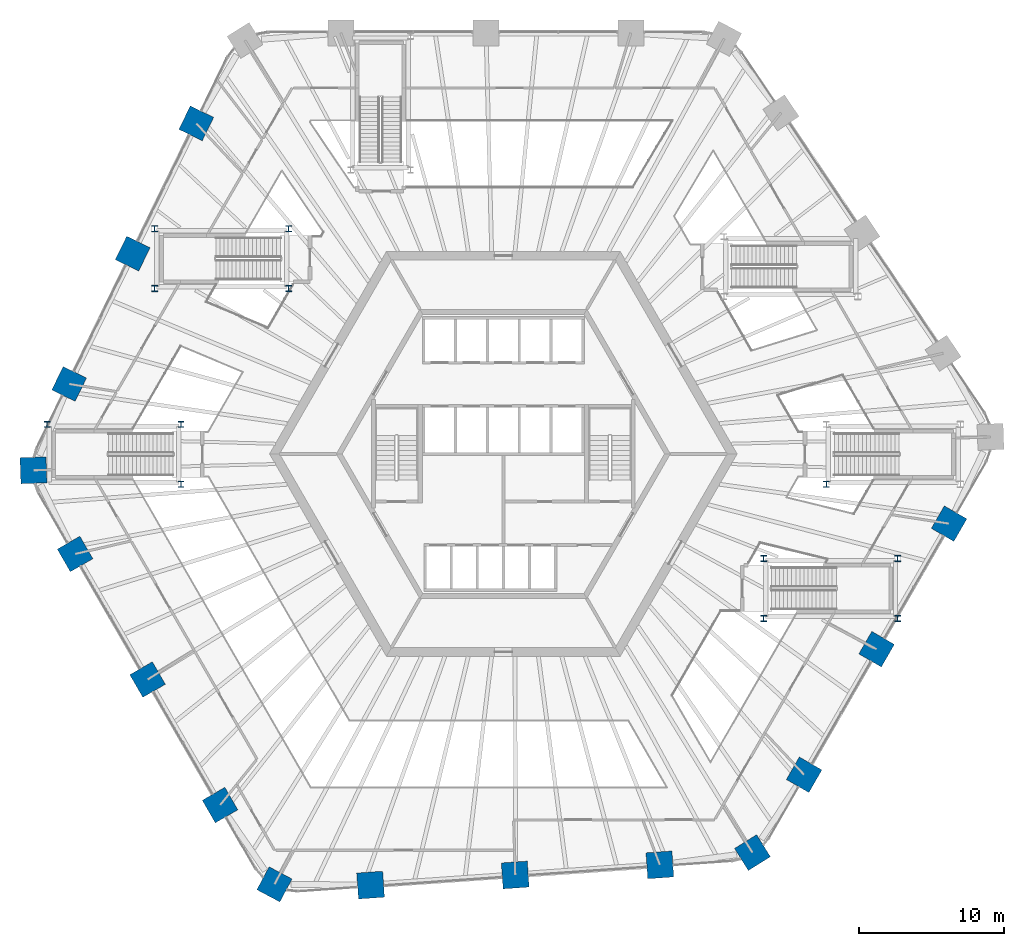
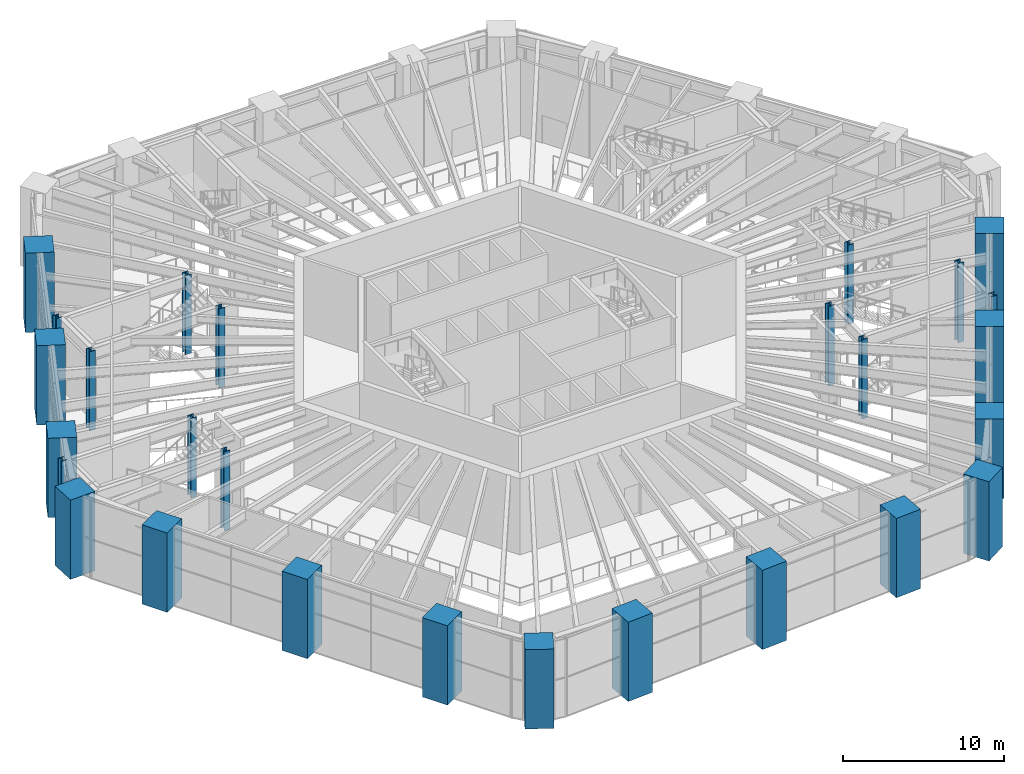
# One storey, part 1 of 32: 27 columns.
"""IFC4 building model written with IfcOpenShell, lengths in metres."""

from ifc_helpers import new_model, si_unit, direction, frame, origin, origin_2d, place, context, subcontext, project, spatial, rectangle, i_section, extrude, material, material_profile, profile_set, type_object, element, save


model = new_model("IFC4")

# Units and contexts
model_context = context("Model", 3, precision=1e-05, world=origin(), true_north=direction((0.0, 1.0)))
body_context = subcontext(model_context, "Body", "Model", "MODEL_VIEW")
ifc_project = project(units=[si_unit("LENGTHUNIT", "METRE"), si_unit("AREAUNIT", "SQUARE_METRE"), si_unit("VOLUMEUNIT", "CUBIC_METRE"), si_unit("PLANEANGLEUNIT", "RADIAN"), si_unit("MASSUNIT", "GRAM", prefix="KILO")], contexts=[model_context])

# Site, building, storey
site_placement = place(None, origin())
site = spatial("IfcSite", under=ifc_project, at=site_placement, CompositionType="ELEMENT")
building_placement = place(site_placement, origin())
building = spatial("IfcBuilding", under=site, at=building_placement, Name="Tarnside Tower", CompositionType="ELEMENT")
storey_placement = place(building_placement, frame((0.0, 0.0, 9.0)))
storey = spatial("IfcBuildingStorey", under=building, at=storey_placement, Name="L01", CompositionType="ELEMENT", Elevation=9.0)

# Columns
ifc_material_1 = material(Name="Concrete C80/95", Category="concrete")
ifc_material_profile_1 = material_profile(ifc_material_1, rectangle(XDim=1.800048828125, YDim=1.800048828125, at=origin_2d()), Name="Mega column 1800x1800")
ifc_profile_set_1 = profile_set([ifc_material_profile_1], Name="Concrete C80/95")
column_type_1 = type_object("IfcColumnType", Name="Mega column 1800 C80/95", PredefinedType="COLUMN", material=ifc_profile_set_1)
for number, where, z_axis, x_axis, name in (
    (1, (-21.22998046875, 22.854248046875, -0.25), (0.0, 0.0, 1.0), (0.438371146789, 0.898794046299, 0.0), "Mega column M05"),
    (2, (-25.6240234375, 13.84521484375, -0.25), (0.0, 0.0, 1.0), (0.438371146789, 0.898794046299, 0.0), "Mega column M06"),
    (3, (-30.01806640625, 4.8359375, -0.25), (0.0, 0.0, 1.0), (0.438371146789, 0.898794046299, 0.0), "Mega column M07"),
    (4, (-32.486083984375, -1.134521484375, -0.25), (0.0, 0.0, 1.0), (-0.034899496703, 0.999390827019, 0.0), "Mega column M08"),
    (5, (-29.607666015625, -6.918212890625, -0.25), (0.0, 0.0, 1.0), (-0.5, 0.866025403784, 0.0), "Mega column M09"),
    (6, (-24.595703125, -15.598876953125, -0.25), (0.0, 0.0, 1.0), (-0.5, 0.866025403784, 0.0), "Mega column M10"),
    (7, (-19.583984375, -24.279541015625, -0.25), (0.0, 0.0, 1.0), (-0.5, 0.866025403784, 0.0), "Mega column M11"),
    (8, (-15.823486328125, -29.759765625, -0.25), (0.0, 0.0, 1.0), (-0.882947592859, 0.469471562786, 0.0), "Mega column M12"),
    (9, (-9.177490234375, -29.812744140625, -0.25), (0.0, 0.0, 1.0), (-0.99756405026, -0.069756473744, 0.0), "Mega column M13"),
    (10, (0.82177734375, -29.113525390625, -0.25), (0.0, 0.0, 1.0), (-0.99756405026, -0.069756473744, 0.0), "Mega column M14"),
    (11, (10.821044921875, -28.414306640625, -0.25), (0.0, 0.0, 1.0), (-0.99756405026, -0.069756473744, 0.0), "Mega column M15"),
    (12, (17.225341796875, -27.56640625, -0.25), (0.0, 0.0, 1.0), (-0.848048096156, -0.529919264233, 0.0), "Mega column M16"),
    (13, (20.794921875, -22.181884765625, -0.25), (0.0, 0.0, 1.0), (-0.5, -0.866025403784, 0.0), "Mega column M17"),
    (14, (25.806884765625, -13.501220703125, -0.25), (0.0, 0.0, 1.0), (-0.5, -0.866025403784, 0.0), "Mega column M18"),
    (15, (30.818603515625, -4.8203125, -0.25), (0.0, 0.0, 1.0), (-0.5, -0.866025403784, 0.0), "Mega column M19"),
):
    element("IfcColumn", number, at=place(storey_placement, frame(where, z_axis=z_axis, x_axis=x_axis)), inside=storey, type_object=column_type_1, Name=name, PredefinedType="COLUMN", context=body_context, shape_type="SweptSolid", body=[
        extrude(rectangle(XDim=1.800048828125, YDim=1.800048828125, at=origin_2d()), origin(), (0.0, 0.0, 1.0), 6.0),
    ])
ifc_material_2 = material(Name="Steel S460", Category="steel")
ifc_material_profile_2 = material_profile(ifc_material_2, i_section(OverallWidth=0.412109375, OverallDepth=0.4365234375, WebThickness=0.035888671875, FlangeThickness=0.05810546875, FilletRadius=0.01513671875, at=origin_2d()), Name="UC 356x406x467")
ifc_profile_set_2 = profile_set([ifc_material_profile_2], Name="Steel S460")
column_type_2 = type_object("IfcColumnType", Name="Steel column UC 356x406x467", PredefinedType="COLUMN", material=ifc_profile_set_2)
for number, where, z_axis, x_axis, name in (
    (16, (-31.54541015625, 2.04541015625, -0.25), (0.0, 0.0, 1.0), (1.0, 0.0, 0.0), "Trimmer column V02.02"),
    (17, (-22.28466796875, 2.04541015625, -0.25), (0.0, 0.0, 1.0), (1.0, 0.0, 0.0), "Trimmer column V02.03"),
    (18, (-22.28466796875, -2.09521484375, -0.25), (0.0, 0.0, 1.0), (1.0, 0.0, 0.0), "Trimmer column V02.04"),
    (19, (22.334716796875, -2.09521484375, -0.25), (0.0, 0.0, 1.0), (1.0, 0.0, 0.0), "Trimmer column V03.03"),
    (20, (27.25537109375, -7.229736328125, -0.25), (0.0, 0.0, 1.0), (1.0, 0.0, 0.0), "Trimmer column V05.01"),
    (21, (27.25537109375, -11.370361328125, -0.25), (0.0, 0.0, 1.0), (1.0, 0.0, 0.0), "Trimmer column V05.02"),
    (22, (17.99462890625, -11.370361328125, -0.25), (0.0, 0.0, 1.0), (1.0, 0.0, 0.0), "Trimmer column V05.03"),
    (23, (17.99462890625, -7.229736328125, -0.25), (0.0, 0.0, 1.0), (1.0, 0.0, 0.0), "Trimmer column V05.04"),
    (24, (-24.105224609375, 11.4296875, -0.25), (0.0, 0.0, 1.0), (1.0, 0.0, 0.0), "Trimmer column V06.01"),
    (25, (-24.105224609375, 15.5703125, -0.25), (0.0, 0.0, 1.0), (1.0, 0.0, 0.0), "Trimmer column V06.02"),
    (26, (-14.8447265625, 15.5703125, -0.25), (0.0, 0.0, 1.0), (1.0, 0.0, 0.0), "Trimmer column V06.03"),
    (27, (-14.8447265625, 11.4296875, -0.25), (0.0, 0.0, 1.0), (1.0, 0.0, 0.0), "Trimmer column V06.04"),
):
    element("IfcColumn", number, at=place(storey_placement, frame(where, z_axis=z_axis, x_axis=x_axis)), inside=storey, type_object=column_type_2, Name=name, PredefinedType="COLUMN", context=body_context, shape_type="SweptSolid", body=[
        extrude(i_section(OverallWidth=0.412109375, OverallDepth=0.4365234375, WebThickness=0.035888671875, FlangeThickness=0.05810546875, FilletRadius=0.01513671875, at=origin_2d()), origin(), (0.0, 0.0, 1.0), 6.0),
    ])

save(model, "model.ifc")
